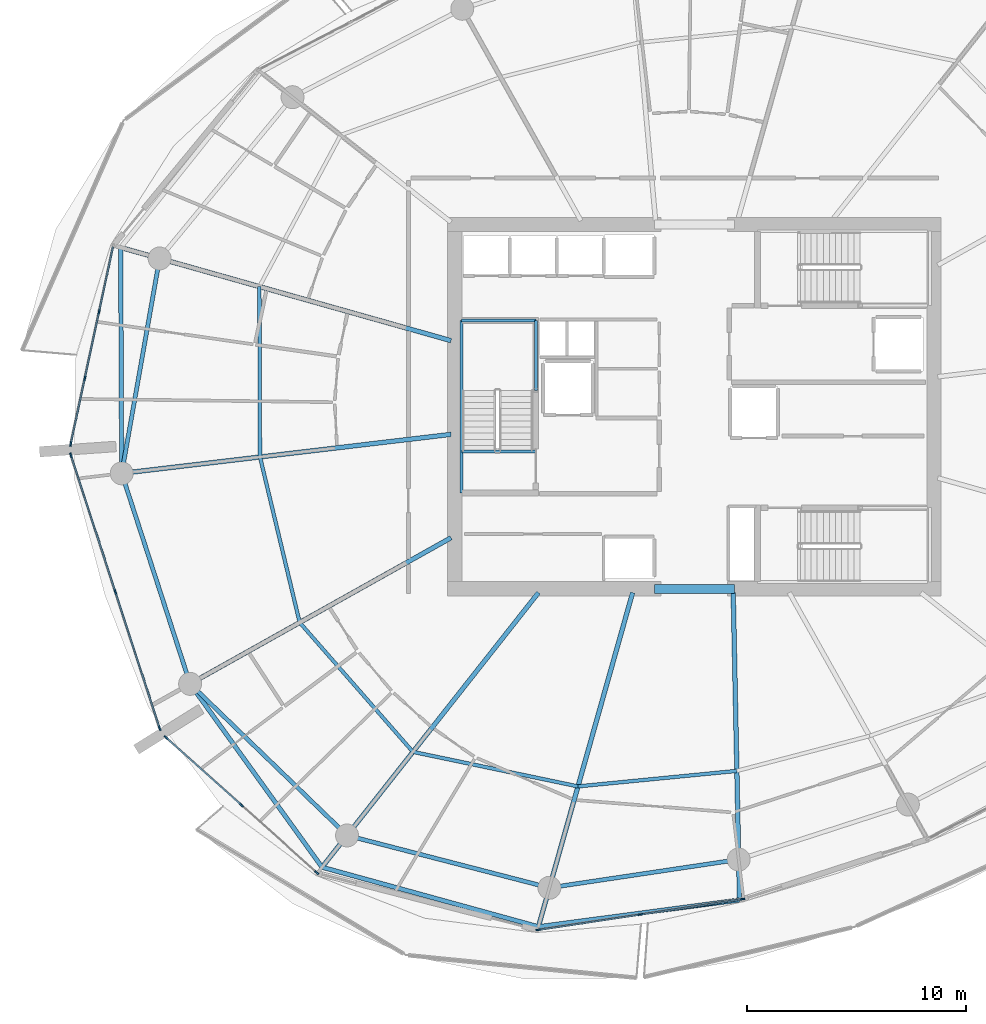
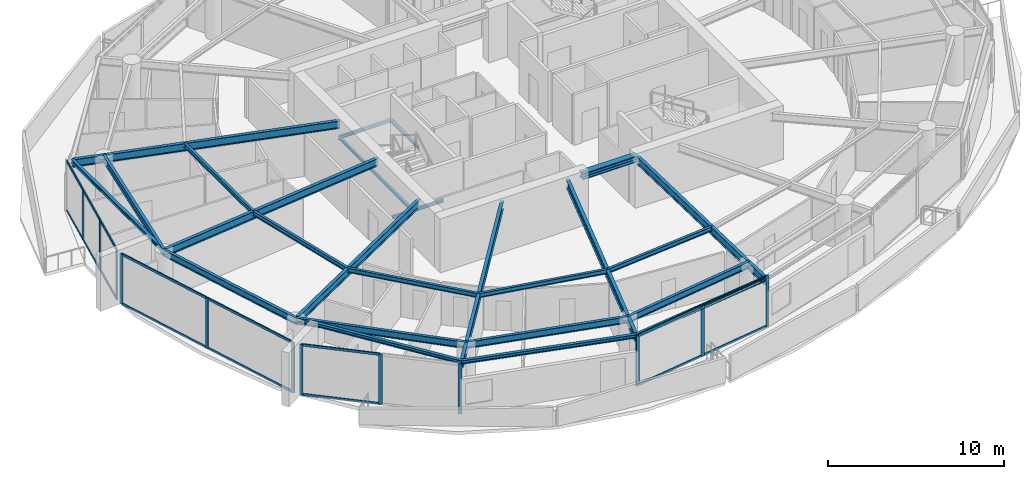
# One storey, part 5 of 19: 28 members, 25 beams, 4 elements without a shape of their own.
"""IFC4 building model written with IfcOpenShell, lengths in metres."""

from ifc_helpers import new_model, si_unit, direction, frame, origin, origin_2d, place, context, subcontext, project, spatial, rectangle, i_section, extrude, material, layer, layer_set, material_profile, profile_set, type_object, element, aggregate, save


model = new_model("IFC4")

# Units and contexts
model_context = context("Model", 3, precision=1e-05, world=origin(), true_north=direction((0.0, 1.0)))
body_context = subcontext(model_context, "Body", "Model", "MODEL_VIEW")
ifc_project = project(units=[si_unit("LENGTHUNIT", "METRE"), si_unit("AREAUNIT", "SQUARE_METRE"), si_unit("VOLUMEUNIT", "CUBIC_METRE"), si_unit("PLANEANGLEUNIT", "RADIAN"), si_unit("MASSUNIT", "GRAM", prefix="KILO")], contexts=[model_context])

# Site, building, storey
site_placement = place(None, origin())
site = spatial("IfcSite", under=ifc_project, at=site_placement, CompositionType="ELEMENT")
building_placement = place(site_placement, origin())
building = spatial("IfcBuilding", under=site, at=building_placement, Name="Kazma Halo Residences", CompositionType="ELEMENT")
storey_placement = place(building_placement, frame((0.0, 0.0, 199.050048828125)))
storey = spatial("IfcBuildingStorey", under=building, at=storey_placement, Name="L50", CompositionType="ELEMENT", Elevation=199.050048828125)

# Beams
ifc_material_1 = material(Name="Steel S355", Category="steel")
ifc_material_profile_1 = material_profile(ifc_material_1, i_section(OverallWidth=0.201904296875, OverallDepth=0.2470703125, WebThickness=0.00732421875, FlangeThickness=0.010986328125, FilletRadius=0.011962890625, at=origin_2d()), Name="W250x49.1")
ifc_profile_set_1 = profile_set([ifc_material_profile_1], Name="Steel S355")
beam_type_1 = type_object("IfcBeamType", Name="BM-BAL-CANT", PredefinedType="BEAM", material=ifc_profile_set_1)
for number, where, z_axis, x_axis, name in (
    (1, (22.19970703125, 49.276611328125, 3.37646484375), (0.004705663334, -0.999988928305, 0.0), (0.999988928305, 0.004705663334, 0.0), "L50 wave-balcony tie beam 07"),
    (2, (25.375, 29.329345703125, 3.37646484375), (0.583963922576, -0.811779611181, 0.0), (0.811779611181, 0.583963922576, 0.0), "L50 wave-balcony lead tie beam 09"),
):
    element("IfcBeam", number, at=place(storey_placement, frame(where, z_axis=z_axis, x_axis=x_axis)), inside=storey, type_object=beam_type_1, Name=name, PredefinedType="BEAM", context=body_context, shape_type="SweptSolid", body=[
        extrude(i_section(OverallWidth=0.201904296875, OverallDepth=0.2470703125, WebThickness=0.00732421875, FlangeThickness=0.010986328125, FilletRadius=0.011962890625, at=origin_2d()), origin(), (0.0, 0.0, 1.0), 10.324462890625),
    ])
beam_1_placement = place(storey_placement, frame((31.404052734375, 20.9482421875, 3.37646484375), z_axis=(0.964197026197, -0.265186905169, 0.0), x_axis=(0.265186905169, 0.964197026197, 0.0)))
element("IfcBeam", 3, at=beam_1_placement, inside=storey, type_object=beam_type_1, Name="L50 wave-balcony tie beam 10", PredefinedType="BEAM", context=body_context, shape_type="SweptSolid", body=[
    extrude(i_section(OverallWidth=0.201904296875, OverallDepth=0.2470703125, WebThickness=0.00732421875, FlangeThickness=0.010986328125, FilletRadius=0.011962890625, at=origin_2d()), origin(), (0.0, 0.0, 1.0), 10.258544921875),
])
beam_2_placement = place(storey_placement, frame((41.29541015625, 18.227783203125, 3.37646484375), z_axis=(0.99126671613, 0.131872277199, 0.0), x_axis=(-0.131872277199, 0.99126671613, 0.0)))
element("IfcBeam", 4, at=beam_2_placement, inside=storey, type_object=beam_type_1, Name="L50 wave-balcony tie beam 11", PredefinedType="BEAM", context=body_context, shape_type="SweptSolid", body=[
    extrude(i_section(OverallWidth=0.201904296875, OverallDepth=0.2470703125, WebThickness=0.00732421875, FlangeThickness=0.010986328125, FilletRadius=0.011962890625, at=origin_2d()), origin(), (0.0, 0.0, 1.0), 9.2734375),
])
ifc_material_profile_2 = material_profile(ifc_material_1, i_section(OverallWidth=0.408935546875, OverallDepth=0.425048828125, WebThickness=0.03271484375, FlangeThickness=0.052490234375, FilletRadius=0.02001953125, at=origin_2d()), Name="W360x421")
ifc_profile_set_2 = profile_set([ifc_material_profile_2], Name="Steel S355")
beam_type_2 = type_object("IfcBeamType", Name="BM-CORE-W360H", PredefinedType="BEAM", material=ifc_profile_set_2)
beam_3_placement = place(storey_placement, frame((46.60009765625, 33.675048828125, 3.287353515625), z_axis=(1.0, 0.0, 0.0), x_axis=(0.0, 1.0, 0.0)))
element("IfcBeam", 5, at=beam_3_placement, inside=storey, type_object=beam_type_2, Name="L50 core coupling beam S", PredefinedType="BEAM", context=body_context, shape_type="SweptSolid", body=[
    extrude(i_section(OverallWidth=0.408935546875, OverallDepth=0.425048828125, WebThickness=0.03271484375, FlangeThickness=0.052490234375, FilletRadius=0.02001953125, at=origin_2d()), origin(), (0.0, 0.0, 1.0), 3.64990234375),
])
ifc_material_profile_3 = material_profile(ifc_material_1, i_section(OverallWidth=0.208984375, OverallDepth=0.532958984375, WebThickness=0.01025390625, FlangeThickness=0.015625, FilletRadius=0.01611328125, at=origin_2d()), Name="W530x92")
ifc_profile_set_3 = profile_set([ifc_material_profile_3], Name="Steel S355")
beam_type_3 = type_object("IfcBeamType", Name="BM-RAD-W530", PredefinedType="BEAM", material=ifc_profile_set_3)
beam_4_placement = place(storey_placement, frame((37.300048828125, 45.017578125, 3.2333984375), z_axis=(-0.962450301448, 0.271457947467, 0.0), x_axis=(-0.271457947467, -0.962450301448, 0.0)))
element("IfcBeam", 6, at=beam_4_placement, inside=storey, type_object=beam_type_3, Name="L50 radial floor beam 07", PredefinedType="BEAM", context=body_context, shape_type="SweptSolid", body=[
    extrude(i_section(OverallWidth=0.208984375, OverallDepth=0.532958984375, WebThickness=0.01025390625, FlangeThickness=0.015625, FilletRadius=0.01611328125, at=origin_2d()), origin(), (0.0, 0.0, 1.0), 15.689453125),
])
beam_5_placement = place(storey_placement, frame((37.300048828125, 40.733642578125, 3.2333984375), z_axis=(-0.993068447674, -0.117537475875, 0.0), x_axis=(0.117537475875, -0.993068447674, 0.0)))
element("IfcBeam", 7, at=beam_5_placement, inside=storey, type_object=beam_type_3, Name="L50 radial floor beam 08", PredefinedType="BEAM", context=body_context, shape_type="SweptSolid", body=[
    extrude(i_section(OverallWidth=0.208984375, OverallDepth=0.532958984375, WebThickness=0.01025390625, FlangeThickness=0.015625, FilletRadius=0.01611328125, at=origin_2d()), origin(), (0.0, 0.0, 1.0), 15.15673828125),
])
beam_6_placement = place(storey_placement, frame((37.300048828125, 36.0078125, 3.2333984375), z_axis=(-0.872492308718, -0.488627845327, 0.0), x_axis=(0.488627845327, -0.872492308718, 0.0)))
element("IfcBeam", 8, at=beam_6_placement, inside=storey, type_object=beam_type_3, Name="L50 radial floor beam 09", PredefinedType="BEAM", context=body_context, shape_type="SweptSolid", body=[
    extrude(i_section(OverallWidth=0.208984375, OverallDepth=0.532958984375, WebThickness=0.01025390625, FlangeThickness=0.015625, FilletRadius=0.01611328125, at=origin_2d()), origin(), (0.0, 0.0, 1.0), 13.667724609375),
])
beam_7_placement = place(storey_placement, frame((41.299072265625, 33.5, 3.2333984375), z_axis=(-0.61909439419, -0.785316580165, 0.0), x_axis=(0.785316580165, -0.61909439419, 0.0)))
element("IfcBeam", 9, at=beam_7_placement, inside=storey, type_object=beam_type_3, Name="L50 radial floor beam 10", PredefinedType="BEAM", context=body_context, shape_type="SweptSolid", body=[
    extrude(i_section(OverallWidth=0.208984375, OverallDepth=0.532958984375, WebThickness=0.01025390625, FlangeThickness=0.015625, FilletRadius=0.01611328125, at=origin_2d()), origin(), (0.0, 0.0, 1.0), 15.983154296875),
])
beam_8_placement = place(storey_placement, frame((45.602783203125, 33.5, 3.2333984375), z_axis=(-0.271449932859, -0.962452561922, 0.0), x_axis=(0.962452561922, -0.271449932859, 0.0)))
element("IfcBeam", 10, at=beam_8_placement, inside=storey, type_object=beam_type_3, Name="L50 radial floor beam 11", PredefinedType="BEAM", context=body_context, shape_type="SweptSolid", body=[
    extrude(i_section(OverallWidth=0.208984375, OverallDepth=0.532958984375, WebThickness=0.01025390625, FlangeThickness=0.015625, FilletRadius=0.01611328125, at=origin_2d()), origin(), (0.0, 0.0, 1.0), 15.867919921875),
])
beam_9_placement = place(storey_placement, frame((50.199951171875, 33.5, 3.2333984375), z_axis=(0.020483658838, -0.99979018785, 0.0), x_axis=(0.99979018785, 0.020483658838, 0.0)))
element("IfcBeam", 11, at=beam_9_placement, inside=storey, type_object=beam_type_3, Name="L50 radial floor beam 12", PredefinedType="BEAM", context=body_context, shape_type="SweptSolid", body=[
    extrude(i_section(OverallWidth=0.208984375, OverallDepth=0.532958984375, WebThickness=0.01025390625, FlangeThickness=0.015625, FilletRadius=0.01611328125, at=origin_2d()), origin(), (0.0, 0.0, 1.0), 14.05224609375),
])
ifc_material_profile_4 = material_profile(ifc_material_1, i_section(OverallWidth=0.1650390625, OverallDepth=0.31005859375, WebThickness=0.005859375, FlangeThickness=0.009765625, FilletRadius=0.011962890625, at=origin_2d()), Name="W310x38.7")
ifc_profile_set_4 = profile_set([ifc_material_profile_4], Name="Steel S355")
beam_type_4 = type_object("IfcBeamType", Name="BM-SEC-W310B", PredefinedType="JOIST", material=ifc_profile_set_4)
beam_10_placement = place(storey_placement, frame((28.5419921875, 47.48779296875, 3.344970703125), z_axis=(0.003605218278, -0.999993501179, 0.0), x_axis=(0.999993501179, 0.003605218278, 0.0)))
element("IfcBeam", 12, at=beam_10_placement, inside=storey, type_object=beam_type_4, Name="L50 circumferential floor joist 07", PredefinedType="JOIST", context=body_context, shape_type="SweptSolid", body=[
    extrude(i_section(OverallWidth=0.1650390625, OverallDepth=0.31005859375, WebThickness=0.005859375, FlangeThickness=0.009765625, FilletRadius=0.011962890625, at=origin_2d()), origin(), (0.0, 0.0, 1.0), 7.78759765625),
])
beam_11_placement = place(storey_placement, frame((28.570068359375, 39.7001953125, 3.344970703125), z_axis=(0.233058429286, -0.972462733753, 0.0), x_axis=(0.972462733753, 0.233058429286, 0.0)))
element("IfcBeam", 13, at=beam_11_placement, inside=storey, type_object=beam_type_4, Name="L50 circumferential floor joist 08", PredefinedType="JOIST", context=body_context, shape_type="SweptSolid", body=[
    extrude(i_section(OverallWidth=0.1650390625, OverallDepth=0.31005859375, WebThickness=0.005859375, FlangeThickness=0.009765625, FilletRadius=0.011962890625, at=origin_2d()), origin(), (0.0, 0.0, 1.0), 7.7802734375),
])
beam_12_placement = place(storey_placement, frame((30.38330078125, 32.13427734375, 3.344970703125), z_axis=(0.658629944618, -0.75246700662, 0.0), x_axis=(0.75246700662, 0.658629944618, 0.0)))
element("IfcBeam", 14, at=beam_12_placement, inside=storey, type_object=beam_type_4, Name="L50 circumferential floor joist 09", PredefinedType="JOIST", context=body_context, shape_type="SweptSolid", body=[
    extrude(i_section(OverallWidth=0.1650390625, OverallDepth=0.31005859375, WebThickness=0.005859375, FlangeThickness=0.009765625, FilletRadius=0.011962890625, at=origin_2d()), origin(), (0.0, 0.0, 1.0), 7.85986328125),
])
beam_13_placement = place(storey_placement, frame((35.56005859375, 26.219970703125, 3.344970703125), z_axis=(0.978821484976, -0.204715657802, 0.0), x_axis=(0.204715657802, 0.978821484976, 0.0)))
element("IfcBeam", 15, at=beam_13_placement, inside=storey, type_object=beam_type_4, Name="L50 circumferential floor joist 10", PredefinedType="JOIST", context=body_context, shape_type="SweptSolid", body=[
    extrude(i_section(OverallWidth=0.1650390625, OverallDepth=0.31005859375, WebThickness=0.005859375, FlangeThickness=0.009765625, FilletRadius=0.011962890625, at=origin_2d()), origin(), (0.0, 0.0, 1.0), 7.707763671875),
])
beam_14_placement = place(storey_placement, frame((43.1044921875, 24.64208984375, 3.344970703125), z_axis=(0.995262165401, 0.097227681872, 0.0), x_axis=(-0.097227681872, 0.995262165401, 0.0)))
element("IfcBeam", 16, at=beam_14_placement, inside=storey, type_object=beam_type_4, Name="L50 circumferential floor joist 11", PredefinedType="JOIST", context=body_context, shape_type="SweptSolid", body=[
    extrude(i_section(OverallWidth=0.1650390625, OverallDepth=0.31005859375, WebThickness=0.005859375, FlangeThickness=0.009765625, FilletRadius=0.011962890625, at=origin_2d()), origin(), (0.0, 0.0, 1.0), 7.297119140625),
])
ifc_material_profile_5 = material_profile(ifc_material_1, i_section(OverallWidth=0.18994140625, OverallDepth=0.45703125, WebThickness=0.009033203125, FlangeThickness=0.014404296875, FilletRadius=0.01611328125, at=origin_2d()), Name="W460x74")
ifc_profile_set_5 = profile_set([ifc_material_profile_5], Name="Steel S355")
beam_type_5 = type_object("IfcBeamType", Name="BM-SPN-W460", PredefinedType="BEAM", material=ifc_profile_set_5)
beam_15_placement = place(storey_placement, frame((23.980224609375, 48.7744140625, 3.271484375), z_axis=(-0.173648484202, -0.984807698962, 0.0), x_axis=(0.984807698962, -0.173648484202, 0.0)))
element("IfcBeam", 17, at=beam_15_placement, inside=storey, type_object=beam_type_5, Name="L50 perimeter ring beam 07", PredefinedType="BEAM", context=body_context, shape_type="SweptSolid", body=[
    extrude(i_section(OverallWidth=0.18994140625, OverallDepth=0.45703125, WebThickness=0.009033203125, FlangeThickness=0.014404296875, FilletRadius=0.01611328125, at=origin_2d()), origin(), (0.0, 0.0, 1.0), 9.973876953125),
])
beam_16_placement = place(storey_placement, frame((22.248291015625, 38.9521484375, 3.271484375), z_axis=(0.309023327426, -0.951054458539, 0.0), x_axis=(0.951054458539, 0.309023327426, 0.0)))
element("IfcBeam", 18, at=beam_16_placement, inside=storey, type_object=beam_type_5, Name="L50 perimeter ring beam 08", PredefinedType="BEAM", context=body_context, shape_type="SweptSolid", body=[
    extrude(i_section(OverallWidth=0.18994140625, OverallDepth=0.45703125, WebThickness=0.009033203125, FlangeThickness=0.014404296875, FilletRadius=0.01611328125, at=origin_2d()), origin(), (0.0, 0.0, 1.0), 10.117919921875),
])
beam_17_placement = place(storey_placement, frame((25.375, 29.329345703125, 3.271484375), z_axis=(0.71933650181, -0.694661786169, 0.0), x_axis=(0.694661786169, 0.71933650181, 0.0)))
element("IfcBeam", 19, at=beam_17_placement, inside=storey, type_object=beam_type_5, Name="L50 perimeter ring beam 09", PredefinedType="BEAM", context=body_context, shape_type="SweptSolid", body=[
    extrude(i_section(OverallWidth=0.18994140625, OverallDepth=0.45703125, WebThickness=0.009033203125, FlangeThickness=0.014404296875, FilletRadius=0.01611328125, at=origin_2d()), origin(), (0.0, 0.0, 1.0), 9.9736328125),
])
beam_18_placement = place(storey_placement, frame((32.54931640625, 22.401123046875, 3.271484375), z_axis=(0.968120950739, -0.25048318255, 0.0), x_axis=(0.25048318255, 0.968120950739, 0.0)))
element("IfcBeam", 20, at=beam_18_placement, inside=storey, type_object=beam_type_5, Name="L50 perimeter ring beam 10", PredefinedType="BEAM", context=body_context, shape_type="SweptSolid", body=[
    extrude(i_section(OverallWidth=0.18994140625, OverallDepth=0.45703125, WebThickness=0.009033203125, FlangeThickness=0.014404296875, FilletRadius=0.01611328125, at=origin_2d()), origin(), (0.0, 0.0, 1.0), 9.552734375),
])
beam_19_placement = place(storey_placement, frame((41.797607421875, 20.00830078125, 3.271484375), z_axis=(0.98903439143, 0.147685383732, 0.0), x_axis=(-0.147685383732, 0.98903439143, 0.0)))
element("IfcBeam", 21, at=beam_19_placement, inside=storey, type_object=beam_type_5, Name="L50 perimeter ring beam 11", PredefinedType="BEAM", context=body_context, shape_type="SweptSolid", body=[
    extrude(i_section(OverallWidth=0.18994140625, OverallDepth=0.45703125, WebThickness=0.009033203125, FlangeThickness=0.014404296875, FilletRadius=0.01611328125, at=origin_2d()), origin(), (0.0, 0.0, 1.0), 8.748291015625),
])
ifc_material_profile_6 = material_profile(ifc_material_1, i_section(OverallWidth=0.133056640625, OverallDepth=0.20703125, WebThickness=0.005859375, FlangeThickness=0.00830078125, FilletRadius=0.010009765625, at=origin_2d()), Name="W200x26.6")
ifc_profile_set_6 = profile_set([ifc_material_profile_6], Name="Steel S355")
beam_type_6 = type_object("IfcBeamType", Name="BM-TRIM-W200", PredefinedType="BEAM", material=ifc_profile_set_6)
beam_20_placement = place(storey_placement, frame((37.800048828125, 39.949951171875, -0.360107421875), z_axis=(1.0, 0.0, 0.0), x_axis=(0.0, 1.0, 0.0)))
element("IfcBeam", 22, at=beam_20_placement, inside=storey, type_object=beam_type_6, Name="L50 ST-01 floor landing support beam", PredefinedType="BEAM", context=body_context, shape_type="SweptSolid", body=[
    extrude(i_section(OverallWidth=0.133056640625, OverallDepth=0.20703125, WebThickness=0.005859375, FlangeThickness=0.00830078125, FilletRadius=0.010009765625, at=origin_2d()), origin(), (0.0, 0.0, 1.0), 3.3798828125),
])
beam_21_placement = place(storey_placement, frame((37.780029296875, 38.06005859375, 1.570068359375), z_axis=(0.0, 1.0, 0.0), x_axis=(-1.0, 0.0, 0.0)))
element("IfcBeam", 23, at=beam_21_placement, inside=storey, type_object=beam_type_6, Name="L50 ST-01 landing west wall ledger", PredefinedType="BEAM", context=body_context, shape_type="SweptSolid", body=[
    extrude(i_section(OverallWidth=0.133056640625, OverallDepth=0.20703125, WebThickness=0.005859375, FlangeThickness=0.00830078125, FilletRadius=0.010009765625, at=origin_2d()), origin(), (0.0, 0.0, 1.0), 7.8798828125),
])
beam_22_placement = place(storey_placement, frame((41.179931640625, 42.75, 1.570068359375), z_axis=(0.0, 1.0, 0.0), x_axis=(-1.0, 0.0, 0.0)))
element("IfcBeam", 24, at=beam_22_placement, inside=storey, type_object=beam_type_6, Name="L50 ST-01 landing east wall ledger", PredefinedType="BEAM", context=body_context, shape_type="SweptSolid", body=[
    extrude(i_section(OverallWidth=0.133056640625, OverallDepth=0.20703125, WebThickness=0.005859375, FlangeThickness=0.00830078125, FilletRadius=0.010009765625, at=origin_2d()), origin(), (0.0, 0.0, 1.0), 3.18994140625),
])
beam_23_placement = place(storey_placement, frame((37.780029296875, 45.93994140625, 1.570068359375), z_axis=(1.0, 0.0, 0.0), x_axis=(0.0, 1.0, 0.0)))
element("IfcBeam", 25, at=beam_23_placement, inside=storey, type_object=beam_type_6, Name="L50 ST-01 landing end wall ledger", PredefinedType="BEAM", context=body_context, shape_type="SweptSolid", body=[
    extrude(i_section(OverallWidth=0.133056640625, OverallDepth=0.20703125, WebThickness=0.005859375, FlangeThickness=0.00830078125, FilletRadius=0.010009765625, at=origin_2d()), origin(), (0.0, 0.0, 1.0), 3.39990234375),
])

# Curtain wall, members
ifc_material_2 = material(Name="Aluminium AW-6063 T6 and Triple-Silver Low-E Glass", Category="aluminium")
ifc_layer = layer(ifc_material_2, 0.219970703125)
ifc_layer_set = layer_set([ifc_layer], Name="Aluminium AW-6063 T6 and Triple-Silver Low-E Glass")
curtain_wall_type = type_object("IfcCurtainWallType", Name="CW-SYS-4", PredefinedType="NOTDEFINED", material=ifc_layer_set)
curtain_wall_1_placement = place(storey_placement, origin())
curtain_wall_1 = element("IfcCurtainWall", 26, at=curtain_wall_1_placement, inside=storey, type_object=curtain_wall_type, Name="L50 unitised curtain wall B07", PredefinedType="NOTDEFINED")
ifc_material_3 = material(Name="Aluminium AW-6063 T6", Category="aluminium")
ifc_material_profile_7 = material_profile(ifc_material_3, rectangle(XDim=0.074951171875, YDim=0.219970703125, at=origin_2d()), Name="CWM-75x220")
ifc_profile_set_7 = profile_set([ifc_material_profile_7], Name="Aluminium AW-6063 T6")
member_type_1 = type_object("IfcMemberType", Name="CW-SYS-4-MUL", PredefinedType="MULLION", material=ifc_profile_set_7)
member_1_placement = place(storey_placement, frame((21.212890625, 46.3330078125, 0.0), z_axis=(0.0, 0.0, 1.0), x_axis=(0.977768017212, -0.209689543175, 0.0)))
member_1 = element("IfcMember", 27, at=member_1_placement, type_object=member_type_1, Name="CWS-4 mullion 2", PredefinedType="MULLION", context=body_context, shape_type="SweptSolid", body=[
    extrude(rectangle(XDim=0.074951171875, YDim=0.219970703125, at=origin_2d()), origin(), (0.0, 0.0, 1.0), 3.5),
])
member_2_placement = place(storey_placement, frame((20.561279296875, 43.295166015625, 0.0), z_axis=(0.0, 0.0, 1.0), x_axis=(0.977768017212, -0.209689543175, 0.0)))
member_2 = element("IfcMember", 28, at=member_2_placement, type_object=member_type_1, Name="CWS-4 mullion 3", PredefinedType="MULLION", context=body_context, shape_type="SweptSolid", body=[
    extrude(rectangle(XDim=0.074951171875, YDim=0.219970703125, at=origin_2d()), origin(), (0.0, 0.0, 1.0), 3.5),
])
member_3_placement = place(storey_placement, frame((19.917724609375, 40.2939453125, 0.0), z_axis=(0.0, 0.0, 1.0), x_axis=(0.977768017212, -0.209689543175, 0.0)))
member_3 = element("IfcMember", 29, at=member_3_placement, type_object=member_type_1, Name="CWS-4 mullion 4", PredefinedType="MULLION", context=body_context, shape_type="SweptSolid", body=[
    extrude(rectangle(XDim=0.074951171875, YDim=0.219970703125, at=origin_2d()), origin(), (0.0, 0.0, 1.0), 3.5),
])

curtain_wall_2_placement = place(storey_placement, origin())
curtain_wall_2 = element("IfcCurtainWall", 30, at=curtain_wall_2_placement, inside=storey, type_object=curtain_wall_type, Name="L50 unitised curtain wall B08", PredefinedType="NOTDEFINED")
member_4_placement = place(storey_placement, frame((19.9287109375, 39.77880859375, 0.0), z_axis=(0.0, 0.0, 1.0), x_axis=(0.951056893636, 0.309015833038, 0.0)))
member_4 = element("IfcMember", 31, at=member_4_placement, type_object=member_type_1, Name="CWS-4 mullion 1", PredefinedType="MULLION", context=body_context, shape_type="SweptSolid", body=[
    extrude(rectangle(XDim=0.074951171875, YDim=0.219970703125, at=origin_2d()), origin(), (0.0, 0.0, 1.0), 3.5),
])
member_5_placement = place(storey_placement, frame((21.95654296875, 33.5380859375, 0.0), z_axis=(0.0, 0.0, 1.0), x_axis=(0.951056893636, 0.309015833038, 0.0)))
member_5 = element("IfcMember", 32, at=member_5_placement, type_object=member_type_1, Name="CWS-4 mullion 2", PredefinedType="MULLION", context=body_context, shape_type="SweptSolid", body=[
    extrude(rectangle(XDim=0.074951171875, YDim=0.219970703125, at=origin_2d()), origin(), (0.0, 0.0, 1.0), 3.5),
])
member_6_placement = place(storey_placement, frame((23.984375, 27.297119140625, 0.0), z_axis=(0.0, 0.0, 1.0), x_axis=(0.951056893636, 0.309015833038, 0.0)))
member_6 = element("IfcMember", 33, at=member_6_placement, type_object=member_type_1, Name="CWS-4 mullion 3", PredefinedType="MULLION", context=body_context, shape_type="SweptSolid", body=[
    extrude(rectangle(XDim=0.074951171875, YDim=0.219970703125, at=origin_2d()), origin(), (0.0, 0.0, 1.0), 3.5),
])

curtain_wall_3_placement = place(storey_placement, origin())
curtain_wall_3 = element("IfcCurtainWall", 34, at=curtain_wall_3_placement, inside=storey, type_object=curtain_wall_type, Name="L50 unitised curtain wall B09", PredefinedType="NOTDEFINED")
member_7_placement = place(storey_placement, frame((24.2783203125, 26.873779296875, 0.0), z_axis=(0.0, 0.0, 1.0), x_axis=(0.667784328806, 0.744354814723, 0.0)))
member_7 = element("IfcMember", 35, at=member_7_placement, type_object=member_type_1, Name="CWS-4 mullion 1", PredefinedType="MULLION", context=body_context, shape_type="SweptSolid", body=[
    extrude(rectangle(XDim=0.074951171875, YDim=0.219970703125, at=origin_2d()), origin(), (0.0, 0.0, 1.0), 3.5),
])
member_8_placement = place(storey_placement, frame((27.719482421875, 23.786865234375, 0.0), z_axis=(0.0, 0.0, 1.0), x_axis=(0.667784328806, 0.744354814723, 0.0)))
member_8 = element("IfcMember", 36, at=member_8_placement, type_object=member_type_1, Name="CWS-4 mullion 2", PredefinedType="MULLION", context=body_context, shape_type="SweptSolid", body=[
    extrude(rectangle(XDim=0.074951171875, YDim=0.219970703125, at=origin_2d()), origin(), (0.0, 0.0, 1.0), 3.5),
])
member_9_placement = place(storey_placement, frame((31.160400390625, 20.69970703125, 0.0), z_axis=(0.0, 0.0, 1.0), x_axis=(0.667784328806, 0.744354814723, 0.0)))
member_9 = element("IfcMember", 37, at=member_9_placement, type_object=member_type_1, Name="CWS-4 mullion 3", PredefinedType="MULLION", context=body_context, shape_type="SweptSolid", body=[
    extrude(rectangle(XDim=0.074951171875, YDim=0.219970703125, at=origin_2d()), origin(), (0.0, 0.0, 1.0), 3.5),
])

curtain_wall_4_placement = place(storey_placement, origin())
curtain_wall_4 = element("IfcCurtainWall", 38, at=curtain_wall_4_placement, inside=storey, type_object=curtain_wall_type, Name="L50 unitised curtain wall B11", PredefinedType="NOTDEFINED")
member_10_placement = place(storey_placement, frame((41.291259765625, 18.086669921875, 0.0), z_axis=(0.0, 0.0, 1.0), x_axis=(-0.148772639188, 0.988871428361, 0.0)))
member_10 = element("IfcMember", 39, at=member_10_placement, type_object=member_type_1, Name="CWS-4 mullion 1", PredefinedType="MULLION", context=body_context, shape_type="SweptSolid", body=[
    extrude(rectangle(XDim=0.074951171875, YDim=0.219970703125, at=origin_2d()), origin(), (0.0, 0.0, 1.0), 3.5),
])
member_11_placement = place(storey_placement, frame((45.958740234375, 18.788818359375, 0.0), z_axis=(0.0, 0.0, 1.0), x_axis=(-0.148772639188, 0.988871428361, 0.0)))
member_11 = element("IfcMember", 40, at=member_11_placement, type_object=member_type_1, Name="CWS-4 mullion 2", PredefinedType="MULLION", context=body_context, shape_type="SweptSolid", body=[
    extrude(rectangle(XDim=0.074951171875, YDim=0.219970703125, at=origin_2d()), origin(), (0.0, 0.0, 1.0), 3.5),
])
member_12_placement = place(storey_placement, frame((50.626220703125, 19.490966796875, 0.0), z_axis=(0.0, 0.0, 1.0), x_axis=(-0.148772639188, 0.988871428361, 0.0)))
member_12 = element("IfcMember", 41, at=member_12_placement, type_object=member_type_1, Name="CWS-4 mullion 3", PredefinedType="MULLION", context=body_context, shape_type="SweptSolid", body=[
    extrude(rectangle(XDim=0.074951171875, YDim=0.219970703125, at=origin_2d()), origin(), (0.0, 0.0, 1.0), 3.5),
])

# Member
ifc_material_profile_8 = material_profile(ifc_material_3, rectangle(XDim=0.074951171875, YDim=0.1650390625, at=origin_2d()), Name="CWT-75x165")
ifc_profile_set_8 = profile_set([ifc_material_profile_8], Name="Aluminium AW-6063 T6")
member_type_2 = type_object("IfcMemberType", Name="CW-SYS-4-TRN", PredefinedType="USERDEFINED", material=ifc_profile_set_8)
member_13_placement = place(storey_placement, frame((21.8486328125, 49.297607421875, 0.037353515625), z_axis=(-0.209707268418, -0.977764215735, 0.0), x_axis=(0.977764215735, -0.209707268418, 0.0)))
member_13 = element("IfcMember", 42, at=member_13_placement, type_object=member_type_2, Name="CWS-4 transom 1.1", ObjectType="TRANSOM", PredefinedType="USERDEFINED", context=body_context, shape_type="SweptSolid", body=[
    extrude(rectangle(XDim=0.074951171875, YDim=0.1650390625, at=origin_2d()), origin(), (0.0, 0.0, 1.0), 2.994384765625),
])

member_14_placement = place(storey_placement, frame((21.8486328125, 49.297607421875, 3.46240234375), z_axis=(-0.209707268418, -0.977764215735, 0.0), x_axis=(0.977764215735, -0.209707268418, 0.0)))
member_14 = element("IfcMember", 43, at=member_14_placement, type_object=member_type_2, Name="CWS-4 transom 1.2", ObjectType="TRANSOM", PredefinedType="USERDEFINED", context=body_context, shape_type="SweptSolid", body=[
    extrude(rectangle(XDim=0.074951171875, YDim=0.1650390625, at=origin_2d()), origin(), (0.0, 0.0, 1.0), 2.994384765625),
])

member_15_placement = place(storey_placement, frame((21.205078125, 46.29638671875, 0.037353515625), z_axis=(-0.209677559804, -0.977770587057, 0.0), x_axis=(0.977770587057, -0.209677559804, 0.0)))
member_15 = element("IfcMember", 44, at=member_15_placement, type_object=member_type_2, Name="CWS-4 transom 2.1", ObjectType="TRANSOM", PredefinedType="USERDEFINED", context=body_context, shape_type="SweptSolid", body=[
    extrude(rectangle(XDim=0.074951171875, YDim=0.1650390625, at=origin_2d()), origin(), (0.0, 0.0, 1.0), 3.031982421875),
])

member_16_placement = place(storey_placement, frame((21.205078125, 46.29638671875, 3.46240234375), z_axis=(-0.209677559804, -0.977770587057, 0.0), x_axis=(0.977770587057, -0.209677559804, 0.0)))
member_16 = element("IfcMember", 45, at=member_16_placement, type_object=member_type_2, Name="CWS-4 transom 2.2", ObjectType="TRANSOM", PredefinedType="USERDEFINED", context=body_context, shape_type="SweptSolid", body=[
    extrude(rectangle(XDim=0.074951171875, YDim=0.1650390625, at=origin_2d()), origin(), (0.0, 0.0, 1.0), 3.031982421875),
])

member_17_placement = place(storey_placement, frame((20.553466796875, 43.258544921875, 0.037353515625), z_axis=(-0.209690551496, -0.97776780097, 0.0), x_axis=(0.97776780097, -0.209690551496, 0.0)))
member_17 = element("IfcMember", 46, at=member_17_placement, type_object=member_type_2, Name="CWS-4 transom 3.1", ObjectType="TRANSOM", PredefinedType="USERDEFINED", context=body_context, shape_type="SweptSolid", body=[
    extrude(rectangle(XDim=0.074951171875, YDim=0.1650390625, at=origin_2d()), origin(), (0.0, 0.0, 1.0), 2.99462890625),
])

member_18_placement = place(storey_placement, frame((20.553466796875, 43.258544921875, 3.46240234375), z_axis=(-0.209690551496, -0.97776780097, 0.0), x_axis=(0.97776780097, -0.209690551496, 0.0)))
member_18 = element("IfcMember", 47, at=member_18_placement, type_object=member_type_2, Name="CWS-4 transom 3.2", ObjectType="TRANSOM", PredefinedType="USERDEFINED", context=body_context, shape_type="SweptSolid", body=[
    extrude(rectangle(XDim=0.074951171875, YDim=0.1650390625, at=origin_2d()), origin(), (0.0, 0.0, 1.0), 2.99462890625),
])

aggregate(curtain_wall_1, [member_1, member_2, member_3, member_13, member_14, member_15, member_16, member_17, member_18])

member_19_placement = place(storey_placement, frame((19.9404296875, 39.7431640625, 0.037353515625), z_axis=(0.30902650142, -0.951053427217, 0.0), x_axis=(0.951053427217, 0.30902650142, 0.0)))
member_19 = element("IfcMember", 48, at=member_19_placement, type_object=member_type_2, Name="CWS-4 transom 1.1", ObjectType="TRANSOM", PredefinedType="USERDEFINED", context=body_context, shape_type="SweptSolid", body=[
    extrude(rectangle(XDim=0.074951171875, YDim=0.1650390625, at=origin_2d()), origin(), (0.0, 0.0, 1.0), 6.487060546875),
])

member_20_placement = place(storey_placement, frame((19.9404296875, 39.7431640625, 3.46240234375), z_axis=(0.30902650142, -0.951053427217, 0.0), x_axis=(0.951053427217, 0.30902650142, 0.0)))
member_20 = element("IfcMember", 49, at=member_20_placement, type_object=member_type_2, Name="CWS-4 transom 1.2", ObjectType="TRANSOM", PredefinedType="USERDEFINED", context=body_context, shape_type="SweptSolid", body=[
    extrude(rectangle(XDim=0.074951171875, YDim=0.1650390625, at=origin_2d()), origin(), (0.0, 0.0, 1.0), 6.487060546875),
])

member_21_placement = place(storey_placement, frame((21.968017578125, 33.50244140625, 0.037353515625), z_axis=(0.309015440644, -0.951057021132, 0.0), x_axis=(0.951057021132, 0.309015440644, 0.0)))
member_21 = element("IfcMember", 50, at=member_21_placement, type_object=member_type_2, Name="CWS-4 transom 2.1", ObjectType="TRANSOM", PredefinedType="USERDEFINED", context=body_context, shape_type="SweptSolid", body=[
    extrude(rectangle(XDim=0.074951171875, YDim=0.1650390625, at=origin_2d()), origin(), (0.0, 0.0, 1.0), 6.487060546875),
])

member_22_placement = place(storey_placement, frame((21.968017578125, 33.50244140625, 3.46240234375), z_axis=(0.309015440644, -0.951057021132, 0.0), x_axis=(0.951057021132, 0.309015440644, 0.0)))
member_22 = element("IfcMember", 51, at=member_22_placement, type_object=member_type_2, Name="CWS-4 transom 2.2", ObjectType="TRANSOM", PredefinedType="USERDEFINED", context=body_context, shape_type="SweptSolid", body=[
    extrude(rectangle(XDim=0.074951171875, YDim=0.1650390625, at=origin_2d()), origin(), (0.0, 0.0, 1.0), 6.487060546875),
])

aggregate(curtain_wall_2, [member_4, member_5, member_6, member_19, member_20, member_21, member_22])

member_23_placement = place(storey_placement, frame((24.30615234375, 26.848876953125, 0.037353515625), z_axis=(0.744344906673, -0.667795372783, 0.0), x_axis=(0.667795372783, 0.744344906673, 0.0)))
member_23 = element("IfcMember", 52, at=member_23_placement, type_object=member_type_2, Name="CWS-4 transom 1.1", ObjectType="TRANSOM", PredefinedType="USERDEFINED", context=body_context, shape_type="SweptSolid", body=[
    extrude(rectangle(XDim=0.074951171875, YDim=0.1650390625, at=origin_2d()), origin(), (0.0, 0.0, 1.0), 4.5478515625),
])

member_24_placement = place(storey_placement, frame((24.30615234375, 26.848876953125, 3.46240234375), z_axis=(0.744344906673, -0.667795372783, 0.0), x_axis=(0.667795372783, 0.744344906673, 0.0)))
member_24 = element("IfcMember", 53, at=member_24_placement, type_object=member_type_2, Name="CWS-4 transom 1.2", ObjectType="TRANSOM", PredefinedType="USERDEFINED", context=body_context, shape_type="SweptSolid", body=[
    extrude(rectangle(XDim=0.074951171875, YDim=0.1650390625, at=origin_2d()), origin(), (0.0, 0.0, 1.0), 4.5478515625),
])

aggregate(curtain_wall_3, [member_7, member_8, member_9, member_23, member_24])

member_25_placement = place(storey_placement, frame((41.328369140625, 18.092041015625, 0.037353515625), z_axis=(0.988867623216, 0.148797929272, 0.0), x_axis=(-0.148797929272, 0.988867623216, 0.0)))
member_25 = element("IfcMember", 54, at=member_25_placement, type_object=member_type_2, Name="CWS-4 transom 1.1", ObjectType="TRANSOM", PredefinedType="USERDEFINED", context=body_context, shape_type="SweptSolid", body=[
    extrude(rectangle(XDim=0.074951171875, YDim=0.1650390625, at=origin_2d()), origin(), (0.0, 0.0, 1.0), 4.64501953125),
])

member_26_placement = place(storey_placement, frame((41.328369140625, 18.092041015625, 3.46240234375), z_axis=(0.988867623216, 0.148797929272, 0.0), x_axis=(-0.148797929272, 0.988867623216, 0.0)))
member_26 = element("IfcMember", 55, at=member_26_placement, type_object=member_type_2, Name="CWS-4 transom 1.2", ObjectType="TRANSOM", PredefinedType="USERDEFINED", context=body_context, shape_type="SweptSolid", body=[
    extrude(rectangle(XDim=0.074951171875, YDim=0.1650390625, at=origin_2d()), origin(), (0.0, 0.0, 1.0), 4.64501953125),
])

member_27_placement = place(storey_placement, frame((45.995849609375, 18.79443359375, 0.037353515625), z_axis=(0.988876518566, 0.148738801357, 0.0), x_axis=(-0.148738801357, 0.988876518566, 0.0)))
member_27 = element("IfcMember", 56, at=member_27_placement, type_object=member_type_2, Name="CWS-4 transom 2.1", ObjectType="TRANSOM", PredefinedType="USERDEFINED", context=body_context, shape_type="SweptSolid", body=[
    extrude(rectangle(XDim=0.074951171875, YDim=0.1650390625, at=origin_2d()), origin(), (0.0, 0.0, 1.0), 4.645263671875),
])

member_28_placement = place(storey_placement, frame((45.995849609375, 18.79443359375, 3.46240234375), z_axis=(0.988876518566, 0.148738801357, 0.0), x_axis=(-0.148738801357, 0.988876518566, 0.0)))
member_28 = element("IfcMember", 57, at=member_28_placement, type_object=member_type_2, Name="CWS-4 transom 2.2", ObjectType="TRANSOM", PredefinedType="USERDEFINED", context=body_context, shape_type="SweptSolid", body=[
    extrude(rectangle(XDim=0.074951171875, YDim=0.1650390625, at=origin_2d()), origin(), (0.0, 0.0, 1.0), 4.645263671875),
])

aggregate(curtain_wall_4, [member_10, member_11, member_12, member_25, member_26, member_27, member_28])

save(model, "model.ifc")
